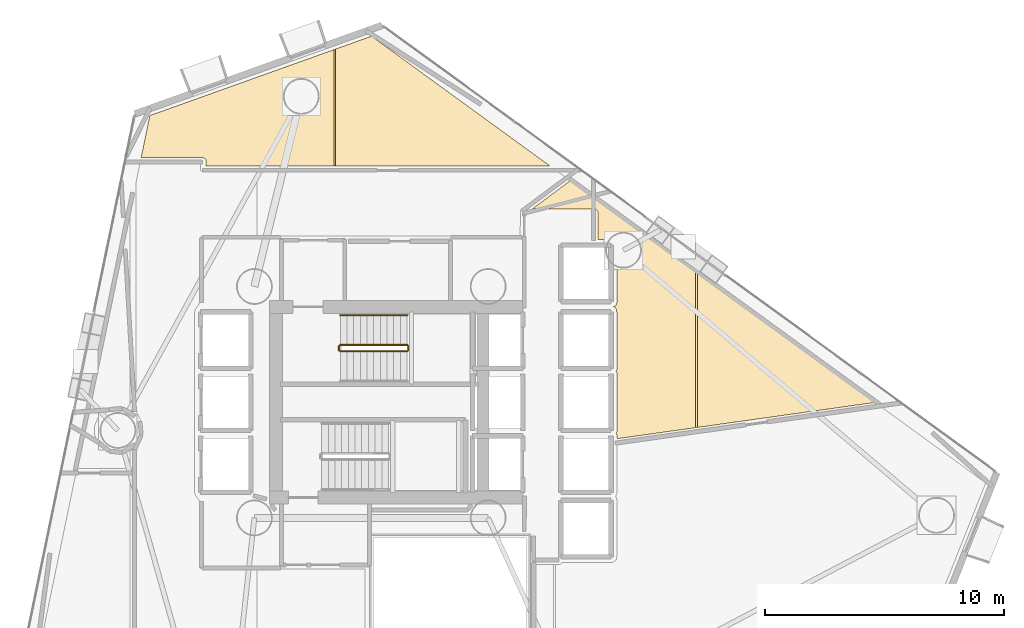
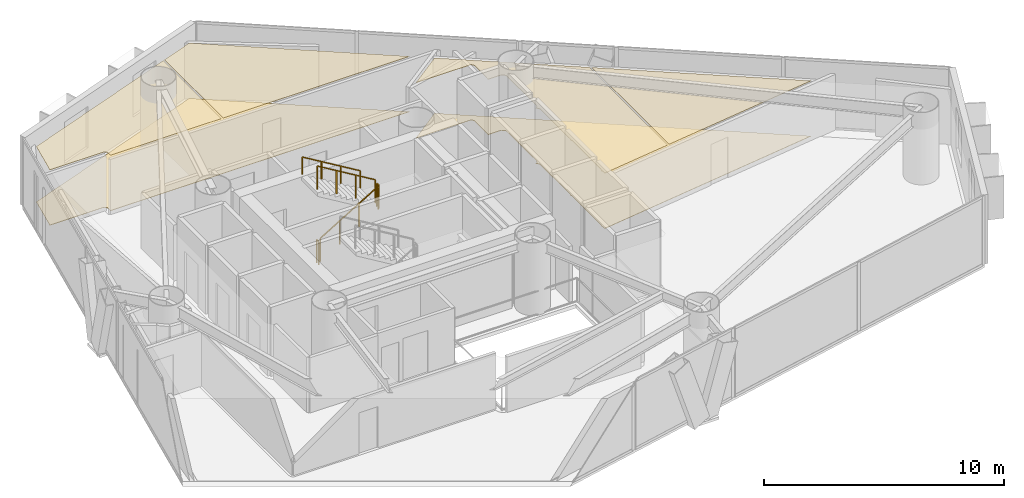
# One storey, part 18 of 18: 6 coverings, 5 railings.
"""IFC4 building model written with IfcOpenShell, lengths in metres."""

from ifc_helpers import new_model, si_unit, direction, frame, origin, origin_2d, place, context, subcontext, project, spatial, polyline, rectangle, outline, extrude, material, layer, layer_set, type_object, element, save


model = new_model("IFC4")

# Units and contexts
model_context = context("Model", 3, precision=1e-05, world=origin(), true_north=direction((0.0, 1.0)))
body_context = subcontext(model_context, "Body", "Model", "MODEL_VIEW")
ifc_project = project(units=[si_unit("LENGTHUNIT", "METRE"), si_unit("AREAUNIT", "SQUARE_METRE"), si_unit("VOLUMEUNIT", "CUBIC_METRE"), si_unit("PLANEANGLEUNIT", "RADIAN"), si_unit("MASSUNIT", "GRAM", prefix="KILO")], contexts=[model_context])

# Site, building, storey
site_placement = place(None, origin())
site = spatial("IfcSite", under=ifc_project, at=site_placement, CompositionType="ELEMENT")
building_placement = place(site_placement, origin())
building = spatial("IfcBuilding", under=site, at=building_placement, Name="Qianvela Tower", CompositionType="ELEMENT")
storey_placement = place(building_placement, frame((0.0, 0.0, 97.800048828125)))
storey = spatial("IfcBuildingStorey", under=building, at=storey_placement, Name="L24", CompositionType="ELEMENT", Elevation=97.800048828125)

# Coverings
ifc_material_1 = material(Name="Perforated Mineral Acoustic Ceiling Tile")
ifc_layer_1 = layer(ifc_material_1, 0.02490234375)
ifc_layer_set_1 = layer_set([ifc_layer_1], Name="Perforated Mineral Acoustic Ceiling Tile")
covering_type_1 = type_object("IfcCoveringType", Name="COV-CEIL-ACOUSTIC-25", PredefinedType="CEILING", material=ifc_layer_set_1)
covering_1_placement = place(storey_placement, frame((0.0, 0.0, 2.81494140625)))
element("IfcCovering", 1, at=covering_1_placement, inside=storey, type_object=covering_type_1, Name="L24 Acoustic Ceiling Bay 1 Student Tea Pantry L24-02", PredefinedType="CEILING", context=body_context, shape_type="SweptSolid", body=[
    extrude(outline(polyline([(26.577880859375, 38.82421875), (26.57666015625, 38.83251953125), (26.574462890625, 38.840576171875), (26.571533203125, 38.84814453125), (26.567626953125, 38.855712890625), (26.563232421875, 38.862548828125), (26.55810546875, 38.868896484375), (26.55224609375, 38.875), (26.481689453125, 38.93896484375), (26.47509765625, 38.944091796875), (26.468017578125, 38.94873046875), (26.46044921875, 38.95263671875), (26.45263671875, 38.955810546875), (26.444580078125, 38.957763671875), (26.436279296875, 38.959228515625), (26.427978515625, 38.959716796875), (23.8544921875, 38.9599609375), (24.21728515625, 40.71435546875), (31.927001953125, 43.4755859375), (31.927001953125, 38.610107421875), (26.57958984375, 38.610107421875), (26.57861328125, 38.81591796875), (26.577880859375, 38.82421875)])), origin(), (0.0, 0.0, 1.0), 0.02490234375),
])
covering_2_placement = place(storey_placement, frame((0.0, 0.0, 2.81494140625)))
element("IfcCovering", 2, at=covering_2_placement, inside=storey, type_object=covering_type_1, Name="L24 Acoustic Ceiling Bay 2 Student Tea Pantry L24-02", PredefinedType="CEILING", context=body_context, shape_type="SweptSolid", body=[
    extrude(outline(polyline([(33.510986328125, 44.04296875), (40.97998046875, 38.610107421875), (32.007080078125, 38.610107421875), (32.007080078125, 43.50439453125), (33.510986328125, 44.04296875)])), origin(), (0.0, 0.0, 1.0), 0.02490234375),
])
covering_3_placement = place(storey_placement, frame((0.0, 0.0, 2.81494140625)))
element("IfcCovering", 3, at=covering_3_placement, inside=storey, type_object=covering_type_1, Name="L24 Acoustic Ceiling Bay 1 Social Galley Kitchen L24-04", PredefinedType="CEILING", context=body_context, shape_type="SweptSolid", body=[
    extrude(outline(polyline([(43.722412109375, 32.739013671875), (43.729248046875, 32.74267578125), (43.73583984375, 32.746826171875), (43.741943359375, 32.751953125), (43.74755859375, 32.757568359375), (43.75244140625, 32.763427734375), (43.7568359375, 32.77001953125), (43.760498046875, 32.777099609375), (43.763427734375, 32.7841796875), (43.79541015625, 32.873046875), (43.79736328125, 32.879638671875), (43.798828125, 32.886474609375), (43.7998046875, 32.893310546875), (43.800048828125, 32.900390625), (43.789306640625, 35.35400390625), (43.788818359375, 35.3623046875), (43.78759765625, 35.370361328125), (43.785400390625, 35.37841796875), (43.782470703125, 35.385986328125), (43.77880859375, 35.393310546875), (43.7744140625, 35.400390625), (43.769287109375, 35.40673828125), (43.763427734375, 35.41259765625), (43.757080078125, 35.417724609375), (43.641357421875, 35.503662109375), (43.63427734375, 35.50830078125), (43.626708984375, 35.51220703125), (43.618896484375, 35.515380859375), (43.610595703125, 35.517578125), (43.602294921875, 35.518798828125), (43.59375, 35.519287109375), (43.0, 35.52001953125), (43.010009765625, 36.6494140625), (43.009765625, 36.6572265625), (43.008544921875, 36.6650390625), (43.006591796875, 36.6728515625), (43.00390625, 36.680419921875), (43.00048828125, 36.6875), (42.99658203125, 36.6943359375), (42.947021484375, 36.768310546875), (42.9423828125, 36.774658203125), (42.937255859375, 36.780517578125), (42.931396484375, 36.78564453125), (42.925048828125, 36.790283203125), (42.91845703125, 36.79443359375), (42.911376953125, 36.7978515625), (42.904052734375, 36.80029296875), (42.896484375, 36.80224609375), (42.888671875, 36.803466796875), (42.880859375, 36.803955078125), (40.261474609375, 36.8095703125), (41.8388671875, 37.985107421875), (47.093505859375, 34.162841796875), (47.093505859375, 27.631103515625), (43.800048828125, 27.168212890625), (43.800048828125, 27.300048828125), (43.799560546875, 27.30810546875), (43.79833984375, 27.31591796875), (43.79638671875, 27.323486328125), (43.793701171875, 27.3310546875), (43.7646484375, 27.39990234375), (43.793701171875, 27.468994140625), (43.79638671875, 27.476318359375), (43.79833984375, 27.484130859375), (43.799560546875, 27.491943359375), (43.800048828125, 27.5), (43.800048828125, 29.89990234375), (43.799560546875, 29.907958984375), (43.79833984375, 29.915771484375), (43.79638671875, 29.923583984375), (43.793701171875, 29.93115234375), (43.7646484375, 30.0), (43.793701171875, 30.06884765625), (43.79638671875, 30.076416015625), (43.798583984375, 30.084228515625), (43.799560546875, 30.09228515625), (43.800048828125, 30.100341796875), (43.789306640625, 32.553955078125), (43.788818359375, 32.561767578125), (43.787841796875, 32.5693359375), (43.785888671875, 32.576904296875), (43.783203125, 32.584228515625), (43.77978515625, 32.59130859375), (43.77587890625, 32.59814453125), (43.771240234375, 32.604248046875), (43.719482421875, 32.667236328125), (43.71435546875, 32.673095703125), (43.70849609375, 32.67822265625), (43.7021484375, 32.682861328125), (43.695556640625, 32.68701171875), (43.6884765625, 32.690185546875), (43.680908203125, 32.693115234375), (43.647216796875, 32.703125), (43.722412109375, 32.739013671875)])), origin(), (0.0, 0.0, 1.0), 0.02490234375),
])
covering_4_placement = place(storey_placement, frame((0.0, 0.0, 2.81494140625)))
element("IfcCovering", 4, at=covering_4_placement, inside=storey, type_object=covering_type_1, Name="L24 Acoustic Ceiling Bay 2 Social Galley Kitchen L24-04", PredefinedType="CEILING", context=body_context, shape_type="SweptSolid", body=[
    extrude(outline(polyline([(54.618896484375, 28.688720703125), (47.17333984375, 27.642333984375), (47.17333984375, 34.1044921875), (54.618896484375, 28.688720703125)])), origin(), (0.0, 0.0, 1.0), 0.02490234375),
])
ifc_material_2 = material(Name="Engineered Acoustic Oak Timber Flooring", Category="wood")
ifc_layer_2 = layer(ifc_material_2, 0.02001953125)
ifc_layer_set_2 = layer_set([ifc_layer_2], Name="Engineered Acoustic Oak Timber Flooring")
covering_type_2 = type_object("IfcCoveringType", Name="COV-FLOOR-OAK-20", PredefinedType="FLOORING", material=ifc_layer_set_2)
covering_5_placement = place(storey_placement, origin())
element("IfcCovering", 5, at=covering_5_placement, inside=storey, type_object=covering_type_2, Name="L24 Finish Flooring Student Tea Pantry L24-02", PredefinedType="FLOORING", context=body_context, shape_type="SweptSolid", body=[
    extrude(outline(polyline([(26.57861328125, 38.81591796875), (26.577880859375, 38.82421875), (26.57666015625, 38.83251953125), (26.574462890625, 38.840576171875), (26.571533203125, 38.84814453125), (26.567626953125, 38.855712890625), (26.563232421875, 38.862548828125), (26.55810546875, 38.868896484375), (26.55224609375, 38.875), (26.481689453125, 38.93896484375), (26.47509765625, 38.944091796875), (26.468017578125, 38.94873046875), (26.46044921875, 38.95263671875), (26.45263671875, 38.955810546875), (26.444580078125, 38.957763671875), (26.436279296875, 38.959228515625), (26.427978515625, 38.959716796875), (23.8544921875, 38.9599609375), (24.21728515625, 40.71435546875), (33.510986328125, 44.04296875), (40.97998046875, 38.610107421875), (26.57958984375, 38.610107421875), (26.57861328125, 38.81591796875)])), origin(), (0.0, 0.0, 1.0), 0.02001953125),
])
covering_6_placement = place(storey_placement, origin())
element("IfcCovering", 6, at=covering_6_placement, inside=storey, type_object=covering_type_2, Name="L24 Finish Flooring Social Galley Kitchen L24-04", PredefinedType="FLOORING", context=body_context, shape_type="SweptSolid", body=[
    extrude(outline(polyline([(43.647216796875, 32.703125), (43.722412109375, 32.739013671875), (43.729248046875, 32.74267578125), (43.73583984375, 32.746826171875), (43.741943359375, 32.751953125), (43.74755859375, 32.757568359375), (43.75244140625, 32.763427734375), (43.7568359375, 32.77001953125), (43.760498046875, 32.777099609375), (43.763427734375, 32.7841796875), (43.79541015625, 32.873046875), (43.79736328125, 32.879638671875), (43.798828125, 32.886474609375), (43.7998046875, 32.893310546875), (43.800048828125, 32.900390625), (43.789306640625, 35.35400390625), (43.788818359375, 35.3623046875), (43.78759765625, 35.370361328125), (43.785400390625, 35.37841796875), (43.782470703125, 35.385986328125), (43.77880859375, 35.393310546875), (43.7744140625, 35.400390625), (43.769287109375, 35.40673828125), (43.763427734375, 35.41259765625), (43.757080078125, 35.417724609375), (43.641357421875, 35.503662109375), (43.63427734375, 35.50830078125), (43.626708984375, 35.51220703125), (43.618896484375, 35.515380859375), (43.610595703125, 35.517578125), (43.602294921875, 35.518798828125), (43.59375, 35.519287109375), (43.0, 35.52001953125), (43.010009765625, 36.6494140625), (43.009765625, 36.6572265625), (43.008544921875, 36.6650390625), (43.006591796875, 36.6728515625), (43.00390625, 36.680419921875), (43.00048828125, 36.6875), (42.99658203125, 36.6943359375), (42.947021484375, 36.768310546875), (42.9423828125, 36.774658203125), (42.937255859375, 36.780517578125), (42.931396484375, 36.78564453125), (42.925048828125, 36.790283203125), (42.91845703125, 36.79443359375), (42.911376953125, 36.7978515625), (42.904052734375, 36.80029296875), (42.896484375, 36.80224609375), (42.888671875, 36.803466796875), (42.880859375, 36.803955078125), (40.261474609375, 36.8095703125), (41.8388671875, 37.985107421875), (54.618896484375, 28.688720703125), (43.800048828125, 27.168212890625), (43.800048828125, 27.300048828125), (43.799560546875, 27.30810546875), (43.79833984375, 27.31591796875), (43.79638671875, 27.323486328125), (43.793701171875, 27.3310546875), (43.7646484375, 27.39990234375), (43.793701171875, 27.468994140625), (43.79638671875, 27.476318359375), (43.79833984375, 27.484130859375), (43.799560546875, 27.491943359375), (43.800048828125, 27.5), (43.800048828125, 29.89990234375), (43.799560546875, 29.907958984375), (43.79833984375, 29.915771484375), (43.79638671875, 29.923583984375), (43.793701171875, 29.93115234375), (43.7646484375, 30.0), (43.793701171875, 30.06884765625), (43.79638671875, 30.076416015625), (43.798583984375, 30.084228515625), (43.799560546875, 30.09228515625), (43.800048828125, 30.100341796875), (43.789306640625, 32.553955078125), (43.788818359375, 32.561767578125), (43.787841796875, 32.5693359375), (43.785888671875, 32.576904296875), (43.783203125, 32.584228515625), (43.77978515625, 32.59130859375), (43.77587890625, 32.59814453125), (43.771240234375, 32.604248046875), (43.719482421875, 32.667236328125), (43.71435546875, 32.673095703125), (43.70849609375, 32.67822265625), (43.7021484375, 32.682861328125), (43.695556640625, 32.68701171875), (43.6884765625, 32.690185546875), (43.680908203125, 32.693115234375), (43.647216796875, 32.703125)])), origin(), (0.0, 0.0, 1.0), 0.02001953125),
])

# Railings
ifc_material_3 = material(Name="Painted Tubular Steel Q355B", Category="steel")
railing_type_1 = type_object("IfcRailingType", Name="RL-STAIR-GUARD-1200", PredefinedType="GUARDRAIL", material=ifc_material_3)
railing_1_placement = place(storey_placement, frame((32.199951171875, 30.840087890625, 0.168212890625)))
element("IfcRailing", 7, at=railing_1_placement, inside=storey, type_object=railing_type_1, Name="L24 ST-1 stair guard 1", PredefinedType="GUARDRAIL", context=body_context, shape_type="SweptSolid", body=[
    extrude(rectangle(XDim=0.050048828125, YDim=0.0400390625, at=origin_2d()), frame((0.0, 0.0, 1.179931640625), z_axis=(0.857275202839, 0.0, 0.514858452973), x_axis=(0.0, 1.0, 0.0)), (0.0, 0.0, 1.0), 3.26611328125),
    extrude(rectangle(XDim=0.050048828125, YDim=0.050048828125, at=origin_2d()), origin(), (0.0, 0.0, 1.0), 1.159912109375),
    extrude(rectangle(XDim=0.050048828125, YDim=0.050048828125, at=origin_2d()), frame((0.933349609375, 0.0, 0.560546875)), (0.0, 0.0, 1.0), 1.159912109375),
    extrude(rectangle(XDim=0.050048828125, YDim=0.050048828125, at=origin_2d()), frame((1.86669921875, 0.0, 1.12109375)), (0.0, 0.0, 1.0), 1.159912109375),
    extrude(rectangle(XDim=0.050048828125, YDim=0.050048828125, at=origin_2d()), frame((2.800048828125, 0.0, 1.681640625)), (0.0, 0.0, 1.0), 1.159912109375),
])
railing_2_placement = place(storey_placement, frame((35.050048828125, 30.889892578125, 1.849853515625)))
element("IfcRailing", 8, at=railing_2_placement, inside=storey, type_object=railing_type_1, Name="L24 ST-1 stair guard 2", PredefinedType="GUARDRAIL", context=body_context, shape_type="SweptSolid", body=[
    extrude(rectangle(XDim=0.050048828125, YDim=0.0400390625, at=origin_2d()), frame((0.0, 0.0, 1.179931640625), z_axis=(0.0, 1.0, 0.0), x_axis=(-1.0, 0.0, 0.0)), (0.0, 0.0, 1.0), 0.16015625),
    extrude(rectangle(XDim=0.050048828125, YDim=0.050048828125, at=origin_2d()), origin(), (0.0, 0.0, 1.0), 1.159912109375),
    extrude(rectangle(XDim=0.050048828125, YDim=0.050048828125, at=origin_2d()), frame((0.0, 0.16015625, 0.0)), (0.0, 0.0, 1.0), 1.159912109375),
])
railing_3_placement = place(storey_placement, frame((35.0, 31.10009765625, 2.01806640625)))
element("IfcRailing", 9, at=railing_3_placement, inside=storey, type_object=railing_type_1, Name="L24 ST-1 stair guard 3", PredefinedType="GUARDRAIL", context=body_context, shape_type="SweptSolid", body=[
    extrude(rectangle(XDim=0.050048828125, YDim=0.0400390625, at=origin_2d()), frame((0.0, 0.0, 1.179931640625), z_axis=(-0.857242210791, 0.0, 0.514913383045), x_axis=(0.0, -1.0, 0.0)), (0.0, 0.0, 1.0), 3.266357421875),
    extrude(rectangle(XDim=0.050048828125, YDim=0.050048828125, at=origin_2d()), origin(), (0.0, 0.0, 1.0), 1.159912109375),
    extrude(rectangle(XDim=0.050048828125, YDim=0.050048828125, at=origin_2d()), frame((-0.933349609375, 0.0, 0.560546875)), (0.0, 0.0, 1.0), 1.159912109375),
    extrude(rectangle(XDim=0.050048828125, YDim=0.050048828125, at=origin_2d()), frame((-1.86669921875, 0.0, 1.121337890625)), (0.0, 0.0, 1.0), 1.159912109375),
    extrude(rectangle(XDim=0.050048828125, YDim=0.050048828125, at=origin_2d()), frame((-2.800048828125, 0.0, 1.681884765625)), (0.0, 0.0, 1.0), 1.159912109375),
])
railing_4_placement = place(storey_placement, frame((32.14990234375, 30.889892578125, 0.0)))
element("IfcRailing", 10, at=railing_4_placement, inside=storey, type_object=railing_type_1, Name="L24 ST-1 stair guard 4", PredefinedType="GUARDRAIL", context=body_context, shape_type="SweptSolid", body=[
    extrude(rectangle(XDim=0.050048828125, YDim=0.0400390625, at=origin_2d()), frame((0.0, 0.0, 1.179931640625), z_axis=(0.0, 1.0, 0.0), x_axis=(-1.0, 0.0, 0.0)), (0.0, 0.0, 1.0), 0.16015625),
    extrude(rectangle(XDim=0.050048828125, YDim=0.050048828125, at=origin_2d()), origin(), (0.0, 0.0, 1.0), 1.159912109375),
    extrude(rectangle(XDim=0.050048828125, YDim=0.050048828125, at=origin_2d()), frame((0.0, 0.16015625, 0.0)), (0.0, 0.0, 1.0), 1.159912109375),
])
ifc_material_4 = material(Name="Brushed Stainless Steel 304", Category="steel")
railing_type_2 = type_object("IfcRailingType", Name="RL-STAIR-HANDRAIL-900", PredefinedType="HANDRAIL", material=ifc_material_4)
railing_5_placement = place(storey_placement, frame((35.0, 32.35009765625, 2.01806640625)))
element("IfcRailing", 11, at=railing_5_placement, inside=storey, type_object=railing_type_2, Name="L24 ST-1 stair handrail 2", PredefinedType="HANDRAIL", context=body_context, shape_type="SweptSolid", body=[
    extrude(rectangle(XDim=0.050048828125, YDim=0.0400390625, at=origin_2d()), frame((0.0, 0.0, 0.8798828125), z_axis=(-0.857242210791, 0.0, 0.514913383045), x_axis=(0.0, -1.0, 0.0)), (0.0, 0.0, 1.0), 3.266357421875),
    extrude(rectangle(XDim=0.050048828125, YDim=0.050048828125, at=origin_2d()), origin(), (0.0, 0.0, 1.0), 0.85986328125),
    extrude(rectangle(XDim=0.050048828125, YDim=0.050048828125, at=origin_2d()), frame((-0.933349609375, 0.0, 0.560546875)), (0.0, 0.0, 1.0), 0.85986328125),
    extrude(rectangle(XDim=0.050048828125, YDim=0.050048828125, at=origin_2d()), frame((-1.86669921875, 0.0, 1.121337890625)), (0.0, 0.0, 1.0), 0.85986328125),
    extrude(rectangle(XDim=0.050048828125, YDim=0.050048828125, at=origin_2d()), frame((-2.800048828125, 0.0, 1.681884765625)), (0.0, 0.0, 1.0), 0.85986328125),
])

save(model, "model.ifc")
